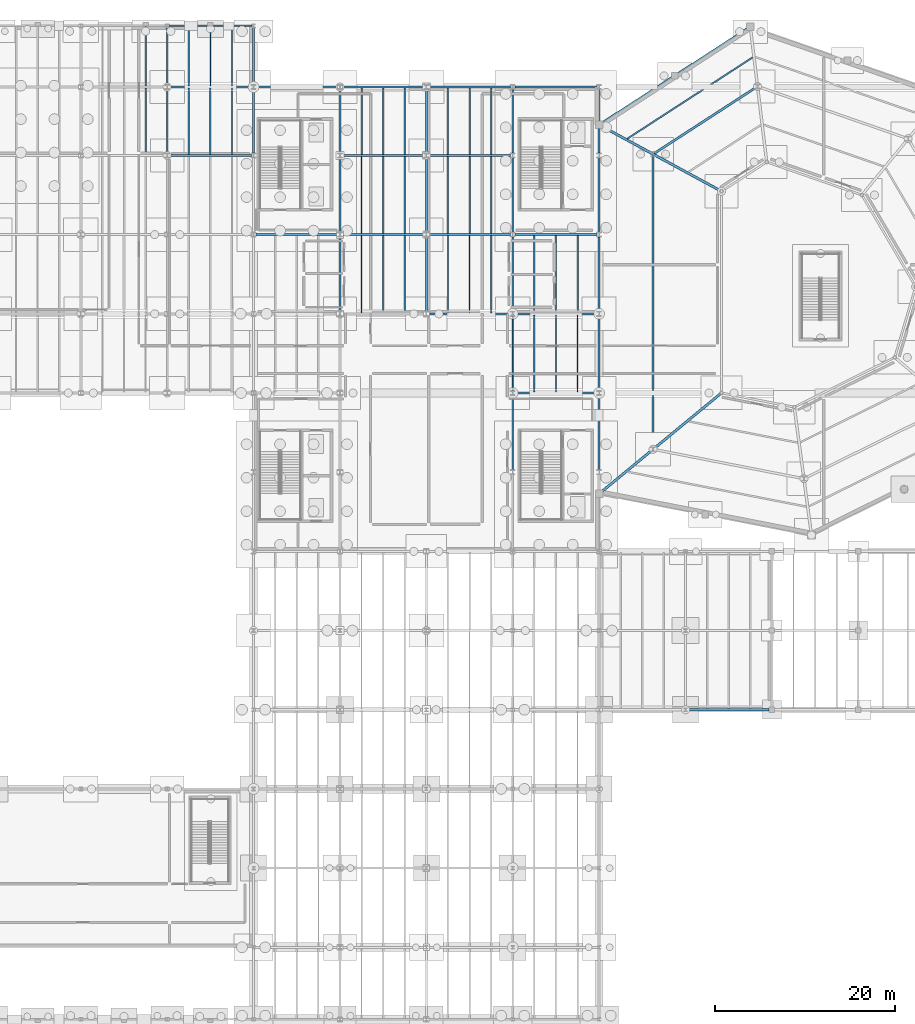
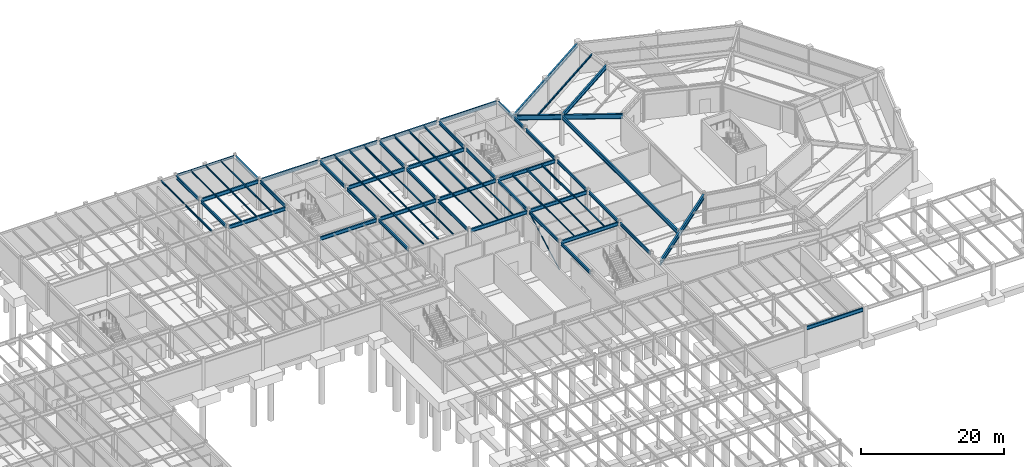
# One storey, part 22 of 48: 75 beams, 1 member.
"""IFC4 building model written with IfcOpenShell, lengths in metres."""

import ifcopenshell
import ifcopenshell.guid

model = None  # the IFC model being written
_history = None  # IfcOwnerHistory: only IFC2X3 demands one
_inside = {}  # id of a spatial element -> (the spatial element, [elements in it])
_under = {}  # id of a project, library or spatial element -> (it, [spatial elements below it])
_declared = {}  # id of a project -> (the project, [libraries it declares])
_typed = {}  # id of a type object -> (the type object, [elements of that type])
_made_of = {}  # id of a material, layer set ... -> (it, [elements and type objects made of it])


def new_model(schema):
    """Start an empty IFC model of exactly this schema.

    Asked for "IFC4X3", IfcOpenShell would pick the latest addendum, in which some entities
    have other attributes; the version numbers below select the first issue.
    IFC2X3 requires an IfcOwnerHistory on every rooted entity: one is made here for all.
    """
    global model, _history
    if schema == "IFC4X3":
        model = ifcopenshell.file(schema_version=(4, 3, 0, 0))
    else:
        model = ifcopenshell.file(schema=schema)
    _inside.clear()
    _under.clear()
    _declared.clear()
    _typed.clear()
    _made_of.clear()
    _history = None
    if model.schema == "IFC2X3":
        org = make("IfcOrganization", Name="unknown")
        user = make(
            "IfcPersonAndOrganization",
            ThePerson=make("IfcPerson", FamilyName="unknown"),
            TheOrganization=org,
        )
        app = make(
            "IfcApplication",
            ApplicationDeveloper=org,
            Version="unknown",
            ApplicationFullName="unknown",
            ApplicationIdentifier="unknown",
        )
        _history = make(
            "IfcOwnerHistory",
            OwningUser=user,
            OwningApplication=app,
            ChangeAction="ADDED",
            CreationDate=0,
        )
    return model


def make(cls, **values):
    """One entity of the class cls with the attributes given. An attribute that is None is left unset."""
    return model.create_entity(
        cls, **{name: value for name, value in values.items() if value is not None}
    )


def rooted(cls, **values):
    """An entity with a GlobalId (a new one), such as an element, a storey or a relation."""
    return make(cls, GlobalId=ifcopenshell.guid.new(), OwnerHistory=_history, **values)


def si_unit(unit_type, name, prefix=None):
    """IfcSIUnit, for example si_unit("LENGTHUNIT", "METRE", prefix="MILLI")."""
    return make("IfcSIUnit", UnitType=unit_type, Prefix=prefix, Name=name)


def assignment(units):
    """IfcUnitAssignment: the units of a project."""
    return None if units is None else make("IfcUnitAssignment", Units=units)


def point(xyz):
    """IfcCartesianPoint."""
    return None if xyz is None else make("IfcCartesianPoint", Coordinates=xyz)


def direction(xyz):
    """IfcDirection."""
    return None if xyz is None else make("IfcDirection", DirectionRatios=xyz)


def frame(location, z_axis=None, x_axis=None):
    """IfcAxis2Placement3D, a coordinate frame: its origin and axes. An axis left out is left unset."""
    return make(
        "IfcAxis2Placement3D",
        Location=point(location),
        Axis=direction(z_axis),
        RefDirection=direction(x_axis),
    )


def frame_2d(location, x_axis=None):
    """IfcAxis2Placement2D, a coordinate frame in the plane: its origin and x axis."""
    return make(
        "IfcAxis2Placement2D", Location=point(location), RefDirection=direction(x_axis)
    )


def origin():
    """The frame at (0, 0, 0) with its axes left unset."""
    return frame((0.0, 0.0, 0.0))


def origin_2d():
    """The frame at (0, 0) in the plane with its x axis left unset."""
    return frame_2d((0.0, 0.0))


def place(relative_to, where):
    """IfcLocalPlacement: puts the frame where relative to a parent placement (None: the world)."""
    return make(
        "IfcLocalPlacement", PlacementRelTo=relative_to, RelativePlacement=where
    )


def context(
    kind, dimensions, precision=None, world=None, true_north=None, identifier=None
):
    """IfcGeometricRepresentationContext, for example the 3D "Model" context."""
    return make(
        "IfcGeometricRepresentationContext",
        ContextIdentifier=identifier,
        ContextType=kind,
        CoordinateSpaceDimension=dimensions,
        Precision=precision,
        WorldCoordinateSystem=world,
        TrueNorth=true_north,
    )


def subcontext(parent, identifier, kind, view, scale=None):
    """IfcGeometricRepresentationSubContext, for example "Body" below "Model"."""
    return make(
        "IfcGeometricRepresentationSubContext",
        ContextIdentifier=identifier,
        ContextType=kind,
        ParentContext=parent,
        TargetScale=scale,
        TargetView=view,
    )


def project(units=None, contexts=None):
    """IfcProject with its units and contexts."""
    return rooted(
        "IfcProject",
        Name="project",
        RepresentationContexts=contexts,
        UnitsInContext=assignment(units),
    )


def spatial(cls, under=None, at=None, **own):
    """A site, building, storey or space (cls), placed at a placement, below another one or the project."""
    s = rooted(cls, ObjectPlacement=at, **own)
    if under is not None:
        _under.setdefault(under.id(), (under, []))[1].append(s)
    return s


def profile(cls, at=None, kind="AREA", **sizes):
    """A parametric profile (cls). Its sizes go by their IFC names, for example OverallWidth=200.0."""
    return make(cls, ProfileType=kind, Position=at, **sizes)


def hollow_circle(**sizes):
    """IfcCircleHollowProfileDef."""
    return profile("IfcCircleHollowProfileDef", **sizes)


def i_section(**sizes):
    """IfcIShapeProfileDef."""
    return profile("IfcIShapeProfileDef", **sizes)


def extrude(swept, where, along, depth):
    """IfcExtrudedAreaSolid: the profile swept, set in the frame where, extruded along a direction by depth."""
    return make(
        "IfcExtrudedAreaSolid",
        SweptArea=swept,
        Position=where,
        ExtrudedDirection=direction(along),
        Depth=depth,
    )


def shape(context_of_items, identifier, shape_type, items):
    """IfcShapeRepresentation: the items that make up one representation, for example the "Body"."""
    return make(
        "IfcShapeRepresentation",
        ContextOfItems=context_of_items,
        RepresentationIdentifier=identifier,
        RepresentationType=shape_type,
        Items=items,
    )


def material(Name=None, Category=None):
    """IfcMaterial."""
    return make("IfcMaterial", Name=Name, Category=Category)


def material_profile(
    of_material, cross_section, Name=None, Category=None, Priority=None
):
    """IfcMaterialProfile: a cross section and its material."""
    return make(
        "IfcMaterialProfile",
        Name=Name,
        Material=of_material,
        Profile=cross_section,
        Priority=Priority,
        Category=Category,
    )


def profile_set(profiles, Name=None, composite=None):
    """IfcMaterialProfileSet."""
    return make(
        "IfcMaterialProfileSet",
        Name=Name,
        MaterialProfiles=profiles,
        CompositeProfile=composite,
    )


def made_of(thing, what):
    """Note that an element or type object is made of a material, layer set ...; save() writes the relation."""
    if what is not None:
        _made_of.setdefault(what.id(), (what, []))[1].append(thing)
    return thing


def type_object(cls, material=None, **own):
    """A type object (cls), such as IfcWallType, which elements share."""
    return made_of(rooted(cls, **own), material)


def element(
    cls,
    number,
    at=None,
    inside=None,
    cuts=None,
    type_object=None,
    material=None,
    context=None,
    identifier="Body",
    shape_type=None,
    held_by="IfcProductDefinitionShape",
    body=None,
    shapes=None,
    **own,
):
    """One element of the class cls, such as IfcWall. Its Tag is "e" and its number.

    at: its placement. inside: the storey or other place that contains it. cuts: it is an
    opening in that element (IfcRelVoidsElement). A single representation is given by context,
    identifier, shape_type and body (its items); several are given by shapes. held_by: the class
    of the entity that holds the representations. save() writes the other relations.
    """
    e = rooted(cls, Tag="e%d" % number, ObjectPlacement=at, **own)
    if body is not None:
        shapes = [shape(context, identifier, shape_type, body)]
    if shapes is not None:
        e.Representation = make(held_by, Representations=shapes)
    if inside is not None:
        _inside.setdefault(inside.id(), (inside, []))[1].append(e)
    if cuts is not None:
        rooted(
            "IfcRelVoidsElement", RelatingBuildingElement=cuts, RelatedOpeningElement=e
        )
    if type_object is not None:
        _typed.setdefault(type_object.id(), (type_object, []))[1].append(e)
    return made_of(e, material)


def aggregate(whole, parts):
    """IfcRelAggregates: a whole, such as a stair, and the parts it consists of."""
    return rooted("IfcRelAggregates", RelatingObject=whole, RelatedObjects=parts)


def save(model, path):
    """Write the relations noted so far, then the file.

    IfcRelAggregates (storeys below a building ...), IfcRelContainedInSpatialStructure (elements
    in a storey), IfcRelDefinesByType, IfcRelAssociatesMaterial and IfcRelDeclares: one each for
    every whole, place, type object, material and project.
    """
    for whole, parts in _under.values():
        aggregate(whole, parts)
    for where, things in _inside.values():
        rooted(
            "IfcRelContainedInSpatialStructure",
            RelatedElements=things,
            RelatingStructure=where,
        )
    for kind, things in _typed.values():
        rooted("IfcRelDefinesByType", RelatedObjects=things, RelatingType=kind)
    for what, things in _made_of.values():
        rooted("IfcRelAssociatesMaterial", RelatedObjects=things, RelatingMaterial=what)
    for by, libraries in _declared.values():
        rooted("IfcRelDeclares", RelatingContext=by, RelatedDefinitions=libraries)
    model.write(path)


model = new_model("IFC4")

# Units and contexts
model_context = context("Model", 3, precision=1e-05, world=origin(), true_north=direction((0.0, 1.0)))
body_context = subcontext(model_context, "Body", "Model", "MODEL_VIEW")
ifc_project = project(units=[si_unit("LENGTHUNIT", "METRE"), si_unit("AREAUNIT", "SQUARE_METRE"), si_unit("VOLUMEUNIT", "CUBIC_METRE"), si_unit("PLANEANGLEUNIT", "RADIAN"), si_unit("MASSUNIT", "GRAM", prefix="KILO")], contexts=[model_context])

# Site, building, storey
site_placement = place(None, origin())
site = spatial("IfcSite", under=ifc_project, at=site_placement, CompositionType="ELEMENT")
building_placement = place(site_placement, origin())
building = spatial("IfcBuilding", under=site, at=building_placement, Name="Sarnbrook Museum", CompositionType="ELEMENT")
storey_placement = place(building_placement, frame((0.0, 0.0, -5.39990234375)))
storey = spatial("IfcBuildingStorey", under=building, at=storey_placement, Name="B1", CompositionType="ELEMENT", Elevation=-5.39990234375)

# Beams
ifc_material_1 = material(Name="Structural Steel Grade 300PLUS (AS/NZS 3679.1, fy = 280 MPa for 17 < t <= 40 mm, 300 MPa for t <= 17 mm)", Category="steel")
ifc_material_profile_1 = material_profile(ifc_material_1, i_section(OverallWidth=0.208984375, OverallDepth=0.532958984375, WebThickness=0.01025390625, FlangeThickness=0.015625, FilletRadius=0.013916015625, at=origin_2d()), Name="530UB92.4")
ifc_profile_set_1 = profile_set([ifc_material_profile_1], Name="Structural Steel Grade 300PLUS (AS/NZS 3679.1, fy = 280 MPa for 17 < t <= 40 mm, 300 MPa for t <= 17 mm)")
beam_type_1 = type_object("IfcBeamType", Name="BM-UB530", PredefinedType="BEAM", material=ifc_profile_set_1)
beam_1_placement = place(storey_placement, frame((71.199951171875, 101.044921875, 4.823486328125), z_axis=(0.0, 1.0, 0.0), x_axis=(-1.0, 0.0, 0.0)))
element("IfcBeam", 1, at=beam_1_placement, inside=storey, type_object=beam_type_1, Name="Girder 8:M-N B1", PredefinedType="BEAM", context=body_context, shape_type="SweptSolid", body=[
    extrude(i_section(OverallWidth=0.208984375, OverallDepth=0.532958984375, WebThickness=0.01025390625, FlangeThickness=0.015625, FilletRadius=0.013916015625, at=origin_2d()), origin(), (0.0, 0.0, 1.0), 7.110107421875),
])
beam_2_placement = place(storey_placement, frame((71.199951171875, 108.64501953125, 4.823486328125), z_axis=(0.0, 1.0, 0.0), x_axis=(-1.0, 0.0, 0.0)))
element("IfcBeam", 2, at=beam_2_placement, inside=storey, type_object=beam_type_1, Name="Girder 8:N-P B1", PredefinedType="BEAM", context=body_context, shape_type="SweptSolid", body=[
    extrude(i_section(OverallWidth=0.208984375, OverallDepth=0.532958984375, WebThickness=0.01025390625, FlangeThickness=0.015625, FilletRadius=0.013916015625, at=origin_2d()), origin(), (0.0, 0.0, 1.0), 6.364013671875),
])
beam_3_placement = place(storey_placement, frame((80.800048828125, 101.044921875, 4.823486328125), z_axis=(0.0, 1.0, 0.0), x_axis=(-1.0, 0.0, 0.0)))
element("IfcBeam", 3, at=beam_3_placement, inside=storey, type_object=beam_type_1, Name="Girder 9:M-N B1", PredefinedType="BEAM", context=body_context, shape_type="SweptSolid", body=[
    extrude(i_section(OverallWidth=0.208984375, OverallDepth=0.532958984375, WebThickness=0.01025390625, FlangeThickness=0.015625, FilletRadius=0.013916015625, at=origin_2d()), origin(), (0.0, 0.0, 1.0), 7.110107421875),
])
beam_4_placement = place(storey_placement, frame((80.800048828125, 108.64501953125, 4.823486328125), z_axis=(0.0, 1.0, 0.0), x_axis=(-1.0, 0.0, 0.0)))
element("IfcBeam", 4, at=beam_4_placement, inside=storey, type_object=beam_type_1, Name="Girder 9:N-P B1", PredefinedType="BEAM", context=body_context, shape_type="SweptSolid", body=[
    extrude(i_section(OverallWidth=0.208984375, OverallDepth=0.532958984375, WebThickness=0.01025390625, FlangeThickness=0.015625, FilletRadius=0.013916015625, at=origin_2d()), origin(), (0.0, 0.0, 1.0), 6.364013671875),
])
for number, where, z_axis, x_axis, name in (
    (5, (90.39990234375, 83.445068359375, 4.83349609375), (0.0, 1.0, 0.0), (-1.0, 0.0, 0.0), "Girder 10:K-L B1"),
    (6, (90.39990234375, 92.2451171875, 4.83349609375), (0.0, 1.0, 0.0), (-1.0, 0.0, 0.0), "Girder 10:L-M B1"),
):
    element("IfcBeam", number, at=place(storey_placement, frame(where, z_axis=z_axis, x_axis=x_axis)), inside=storey, type_object=beam_type_1, Name=name, PredefinedType="BEAM", context=body_context, shape_type="SweptSolid", body=[
        extrude(i_section(OverallWidth=0.208984375, OverallDepth=0.532958984375, WebThickness=0.01025390625, FlangeThickness=0.015625, FilletRadius=0.013916015625, at=origin_2d()), origin(), (0.0, 0.0, 1.0), 8.309814453125),
    ])
beam_5_placement = place(storey_placement, frame((90.39990234375, 101.044921875, 4.83349609375), z_axis=(0.0, 1.0, 0.0), x_axis=(-1.0, 0.0, 0.0)))
element("IfcBeam", 7, at=beam_5_placement, inside=storey, type_object=beam_type_1, Name="Girder 10:M-N B1", PredefinedType="BEAM", context=body_context, shape_type="SweptSolid", body=[
    extrude(i_section(OverallWidth=0.208984375, OverallDepth=0.532958984375, WebThickness=0.01025390625, FlangeThickness=0.015625, FilletRadius=0.013916015625, at=origin_2d()), origin(), (0.0, 0.0, 1.0), 7.110107421875),
])
for number, where, z_axis, x_axis, name in (
    (8, (100.0, 83.445068359375, 4.83349609375), (0.0, 1.0, 0.0), (-1.0, 0.0, 0.0), "Girder 11:K-L B1"),
    (9, (100.0, 92.2451171875, 4.83349609375), (0.0, 1.0, 0.0), (-1.0, 0.0, 0.0), "Girder 11:L-M B1"),
):
    element("IfcBeam", number, at=place(storey_placement, frame(where, z_axis=z_axis, x_axis=x_axis)), inside=storey, type_object=beam_type_1, Name=name, PredefinedType="BEAM", context=body_context, shape_type="SweptSolid", body=[
        extrude(i_section(OverallWidth=0.208984375, OverallDepth=0.532958984375, WebThickness=0.01025390625, FlangeThickness=0.015625, FilletRadius=0.013916015625, at=origin_2d()), origin(), (0.0, 0.0, 1.0), 8.309814453125),
    ])
beam_6_placement = place(storey_placement, frame((100.0, 101.044921875, 4.83349609375), z_axis=(0.0, 1.0, 0.0), x_axis=(-1.0, 0.0, 0.0)))
element("IfcBeam", 10, at=beam_6_placement, inside=storey, type_object=beam_type_1, Name="Girder 11:M-N B1", PredefinedType="BEAM", context=body_context, shape_type="SweptSolid", body=[
    extrude(i_section(OverallWidth=0.208984375, OverallDepth=0.532958984375, WebThickness=0.01025390625, FlangeThickness=0.015625, FilletRadius=0.013916015625, at=origin_2d()), origin(), (0.0, 0.0, 1.0), 7.110107421875),
])
for number, where, z_axis, x_axis, name in (
    (11, (109.60009765625, 65.844970703125, 4.83349609375), (0.0, 1.0, 0.0), (-1.0, 0.0, 0.0), "Girder 12:H-J B1"),
    (12, (109.60009765625, 74.64501953125, 4.83349609375), (0.0, 1.0, 0.0), (-1.0, 0.0, 0.0), "Girder 12:J-K B1"),
):
    element("IfcBeam", number, at=place(storey_placement, frame(where, z_axis=z_axis, x_axis=x_axis)), inside=storey, type_object=beam_type_1, Name=name, PredefinedType="BEAM", context=body_context, shape_type="SweptSolid", body=[
        extrude(i_section(OverallWidth=0.208984375, OverallDepth=0.532958984375, WebThickness=0.01025390625, FlangeThickness=0.015625, FilletRadius=0.013916015625, at=origin_2d()), origin(), (0.0, 0.0, 1.0), 8.31005859375),
    ])
for number, where, z_axis, x_axis, name in (
    (13, (109.60009765625, 83.445068359375, 4.83349609375), (0.0, 1.0, 0.0), (-1.0, 0.0, 0.0), "Girder 12:K-L B1"),
    (14, (109.60009765625, 92.2451171875, 4.83349609375), (0.0, 1.0, 0.0), (-1.0, 0.0, 0.0), "Girder 12:L-M B1"),
):
    element("IfcBeam", number, at=place(storey_placement, frame(where, z_axis=z_axis, x_axis=x_axis)), inside=storey, type_object=beam_type_1, Name=name, PredefinedType="BEAM", context=body_context, shape_type="SweptSolid", body=[
        extrude(i_section(OverallWidth=0.208984375, OverallDepth=0.532958984375, WebThickness=0.01025390625, FlangeThickness=0.015625, FilletRadius=0.013916015625, at=origin_2d()), origin(), (0.0, 0.0, 1.0), 8.309814453125),
    ])
beam_7_placement = place(storey_placement, frame((109.60009765625, 101.044921875, 4.83349609375), z_axis=(0.0, 1.0, 0.0), x_axis=(-1.0, 0.0, 0.0)))
element("IfcBeam", 15, at=beam_7_placement, inside=storey, type_object=beam_type_1, Name="Girder 12:M-N B1", PredefinedType="BEAM", context=body_context, shape_type="SweptSolid", body=[
    extrude(i_section(OverallWidth=0.208984375, OverallDepth=0.532958984375, WebThickness=0.01025390625, FlangeThickness=0.015625, FilletRadius=0.013916015625, at=origin_2d()), origin(), (0.0, 0.0, 1.0), 7.110107421875),
])
for number, where, z_axis, x_axis, name in (
    (16, (119.199951171875, 65.844970703125, 4.823486328125), (0.0, 1.0, 0.0), (-1.0, 0.0, 0.0), "Girder 13:H-J B1"),
    (17, (119.199951171875, 74.64501953125, 4.823486328125), (0.0, 1.0, 0.0), (-1.0, 0.0, 0.0), "Girder 13:J-K B1"),
):
    element("IfcBeam", number, at=place(storey_placement, frame(where, z_axis=z_axis, x_axis=x_axis)), inside=storey, type_object=beam_type_1, Name=name, PredefinedType="BEAM", context=body_context, shape_type="SweptSolid", body=[
        extrude(i_section(OverallWidth=0.208984375, OverallDepth=0.532958984375, WebThickness=0.01025390625, FlangeThickness=0.015625, FilletRadius=0.013916015625, at=origin_2d()), origin(), (0.0, 0.0, 1.0), 8.31005859375),
    ])
for number, where, z_axis, x_axis, name in (
    (18, (119.199951171875, 83.445068359375, 4.823486328125), (0.0, 1.0, 0.0), (-1.0, 0.0, 0.0), "Girder 13:K-L B1"),
    (19, (119.199951171875, 92.2451171875, 4.823486328125), (0.0, 1.0, 0.0), (-1.0, 0.0, 0.0), "Girder 13:L-M B1"),
):
    element("IfcBeam", number, at=place(storey_placement, frame(where, z_axis=z_axis, x_axis=x_axis)), inside=storey, type_object=beam_type_1, Name=name, PredefinedType="BEAM", context=body_context, shape_type="SweptSolid", body=[
        extrude(i_section(OverallWidth=0.208984375, OverallDepth=0.532958984375, WebThickness=0.01025390625, FlangeThickness=0.015625, FilletRadius=0.013916015625, at=origin_2d()), origin(), (0.0, 0.0, 1.0), 8.309814453125),
    ])
beam_8_placement = place(storey_placement, frame((119.199951171875, 101.044921875, 4.83349609375), z_axis=(0.0, 1.0, 0.0), x_axis=(-1.0, 0.0, 0.0)))
element("IfcBeam", 20, at=beam_8_placement, inside=storey, type_object=beam_type_1, Name="Girder 13:M-N B1", PredefinedType="BEAM", context=body_context, shape_type="SweptSolid", body=[
    extrude(i_section(OverallWidth=0.208984375, OverallDepth=0.532958984375, WebThickness=0.01025390625, FlangeThickness=0.015625, FilletRadius=0.013916015625, at=origin_2d()), origin(), (0.0, 0.0, 1.0), 7.110107421875),
])
ifc_material_profile_2 = material_profile(ifc_material_1, i_section(OverallWidth=0.22900390625, OverallDepth=0.612060546875, WebThickness=0.011962890625, FlangeThickness=0.01953125, FilletRadius=0.013916015625, at=origin_2d()), Name="610UB125")
ifc_profile_set_2 = profile_set([ifc_material_profile_2], Name="Structural Steel Grade 300PLUS (AS/NZS 3679.1, fy = 280 MPa for 17 < t <= 40 mm, 300 MPa for t <= 17 mm)")
beam_type_2 = type_object("IfcBeamType", Name="BM-UB610H", PredefinedType="BEAM", material=ifc_profile_set_2)
beam_9_placement = place(storey_placement, frame((129.0, 39.199951171875, 4.803955078125), z_axis=(1.0, 0.0, 0.0), x_axis=(0.0, 1.0, 0.0)))
element("IfcBeam", 21, at=beam_9_placement, inside=storey, type_object=beam_type_2, Name="Girder E:14-15 B1", PredefinedType="BEAM", context=body_context, shape_type="SweptSolid", body=[
    extrude(i_section(OverallWidth=0.22900390625, OverallDepth=0.612060546875, WebThickness=0.011962890625, FlangeThickness=0.01953125, FilletRadius=0.013916015625, at=origin_2d()), origin(), (0.0, 0.0, 1.0), 9.10009765625),
])
beam_10_placement = place(storey_placement, frame((109.85009765625, 74.39990234375, 4.7939453125), z_axis=(1.0, 0.0, 0.0), x_axis=(0.0, 1.0, 0.0)))
element("IfcBeam", 22, at=beam_10_placement, inside=storey, type_object=beam_type_2, Name="Girder J:12-13 B1", PredefinedType="BEAM", context=body_context, shape_type="SweptSolid", body=[
    extrude(i_section(OverallWidth=0.22900390625, OverallDepth=0.612060546875, WebThickness=0.011962890625, FlangeThickness=0.01953125, FilletRadius=0.013916015625, at=origin_2d()), origin(), (0.0, 0.0, 1.0), 9.099853515625),
])
beam_11_placement = place(storey_placement, frame((100.25, 83.199951171875, 4.7939453125), z_axis=(1.0, 0.0, 0.0), x_axis=(0.0, 1.0, 0.0)))
element("IfcBeam", 23, at=beam_11_placement, inside=storey, type_object=beam_type_2, Name="Girder K:11-12 B1", PredefinedType="BEAM", context=body_context, shape_type="SweptSolid", body=[
    extrude(i_section(OverallWidth=0.22900390625, OverallDepth=0.612060546875, WebThickness=0.011962890625, FlangeThickness=0.01953125, FilletRadius=0.013916015625, at=origin_2d()), origin(), (0.0, 0.0, 1.0), 9.10009765625),
])
for number, where, z_axis, x_axis, name in (
    (24, (109.85009765625, 83.199951171875, 4.7939453125), (1.0, 0.0, 0.0), (0.0, 1.0, 0.0), "Girder K:12-13 B1"),
    (25, (81.050048828125, 92.0, 4.7939453125), (1.0, 0.0, 0.0), (0.0, 1.0, 0.0), "Girder L:9-10 B1"),
):
    element("IfcBeam", number, at=place(storey_placement, frame(where, z_axis=z_axis, x_axis=x_axis)), inside=storey, type_object=beam_type_2, Name=name, PredefinedType="BEAM", context=body_context, shape_type="SweptSolid", body=[
        extrude(i_section(OverallWidth=0.22900390625, OverallDepth=0.612060546875, WebThickness=0.011962890625, FlangeThickness=0.01953125, FilletRadius=0.013916015625, at=origin_2d()), origin(), (0.0, 0.0, 1.0), 9.099853515625),
    ])
for number, where, z_axis, x_axis, name in (
    (26, (90.64990234375, 92.0, 4.7939453125), (1.0, 0.0, 0.0), (0.0, 1.0, 0.0), "Girder L:10-11 B1"),
    (27, (100.25, 92.0, 4.7939453125), (1.0, 0.0, 0.0), (0.0, 1.0, 0.0), "Girder L:11-12 B1"),
):
    element("IfcBeam", number, at=place(storey_placement, frame(where, z_axis=z_axis, x_axis=x_axis)), inside=storey, type_object=beam_type_2, Name=name, PredefinedType="BEAM", context=body_context, shape_type="SweptSolid", body=[
        extrude(i_section(OverallWidth=0.22900390625, OverallDepth=0.612060546875, WebThickness=0.011962890625, FlangeThickness=0.01953125, FilletRadius=0.013916015625, at=origin_2d()), origin(), (0.0, 0.0, 1.0), 9.10009765625),
    ])
beam_12_placement = place(storey_placement, frame((109.85009765625, 92.0, 4.7939453125), z_axis=(1.0, 0.0, 0.0), x_axis=(0.0, 1.0, 0.0)))
element("IfcBeam", 28, at=beam_12_placement, inside=storey, type_object=beam_type_2, Name="Girder L:12-13 B1", PredefinedType="BEAM", context=body_context, shape_type="SweptSolid", body=[
    extrude(i_section(OverallWidth=0.22900390625, OverallDepth=0.612060546875, WebThickness=0.011962890625, FlangeThickness=0.01953125, FilletRadius=0.013916015625, at=origin_2d()), origin(), (0.0, 0.0, 1.0), 9.099853515625),
])
for number, where, z_axis, x_axis, name in (
    (29, (71.449951171875, 100.800048828125, 4.783935546875), (1.0, 0.0, 0.0), (0.0, 1.0, 0.0), "Girder M:8-9 B1"),
    (30, (90.64990234375, 100.800048828125, 4.7939453125), (1.0, 0.0, 0.0), (0.0, 1.0, 0.0), "Girder M:10-11 B1"),
    (31, (100.25, 100.800048828125, 4.7939453125), (1.0, 0.0, 0.0), (0.0, 1.0, 0.0), "Girder M:11-12 B1"),
    (32, (71.449951171875, 108.39990234375, 4.783935546875), (1.0, 0.0, 0.0), (0.0, 1.0, 0.0), "Girder N:8-9 B1"),
):
    element("IfcBeam", number, at=place(storey_placement, frame(where, z_axis=z_axis, x_axis=x_axis)), inside=storey, type_object=beam_type_2, Name=name, PredefinedType="BEAM", context=body_context, shape_type="SweptSolid", body=[
        extrude(i_section(OverallWidth=0.22900390625, OverallDepth=0.612060546875, WebThickness=0.011962890625, FlangeThickness=0.01953125, FilletRadius=0.013916015625, at=origin_2d()), origin(), (0.0, 0.0, 1.0), 9.10009765625),
    ])
beam_13_placement = place(storey_placement, frame((81.050048828125, 108.39990234375, 4.7939453125), z_axis=(1.0, 0.0, 0.0), x_axis=(0.0, 1.0, 0.0)))
element("IfcBeam", 33, at=beam_13_placement, inside=storey, type_object=beam_type_2, Name="Girder N:9-10 B1", PredefinedType="BEAM", context=body_context, shape_type="SweptSolid", body=[
    extrude(i_section(OverallWidth=0.22900390625, OverallDepth=0.612060546875, WebThickness=0.011962890625, FlangeThickness=0.01953125, FilletRadius=0.013916015625, at=origin_2d()), origin(), (0.0, 0.0, 1.0), 9.099853515625),
])
for number, where, z_axis, x_axis, name in (
    (34, (90.64990234375, 108.39990234375, 4.7939453125), (1.0, 0.0, 0.0), (0.0, 1.0, 0.0), "Girder N:10-11 B1"),
    (35, (100.25, 108.39990234375, 4.7939453125), (1.0, 0.0, 0.0), (0.0, 1.0, 0.0), "Girder N:11-12 B1"),
):
    element("IfcBeam", number, at=place(storey_placement, frame(where, z_axis=z_axis, x_axis=x_axis)), inside=storey, type_object=beam_type_2, Name=name, PredefinedType="BEAM", context=body_context, shape_type="SweptSolid", body=[
        extrude(i_section(OverallWidth=0.22900390625, OverallDepth=0.612060546875, WebThickness=0.011962890625, FlangeThickness=0.01953125, FilletRadius=0.013916015625, at=origin_2d()), origin(), (0.0, 0.0, 1.0), 9.10009765625),
    ])
beam_14_placement = place(storey_placement, frame((109.85009765625, 108.39990234375, 4.7939453125), z_axis=(1.0, 0.0, 0.0), x_axis=(0.0, 1.0, 0.0)))
element("IfcBeam", 36, at=beam_14_placement, inside=storey, type_object=beam_type_2, Name="Girder N:12-13 B1", PredefinedType="BEAM", context=body_context, shape_type="SweptSolid", body=[
    extrude(i_section(OverallWidth=0.22900390625, OverallDepth=0.612060546875, WebThickness=0.011962890625, FlangeThickness=0.01953125, FilletRadius=0.013916015625, at=origin_2d()), origin(), (0.0, 0.0, 1.0), 9.099853515625),
])
ifc_material_2 = material(Name="Structural Steel Grade 350L0 (AS/NZS 3678, fy = 340 MPa for 20 < t <= 40 mm)", Category="steel")
ifc_material_profile_3 = material_profile(ifc_material_2, i_section(OverallWidth=0.25, OverallDepth=0.699951171875, WebThickness=0.010009765625, FlangeThickness=0.01611328125, at=origin_2d()), Name="700WB130")
ifc_profile_set_3 = profile_set([ifc_material_profile_3], Name="Structural Steel Grade 350L0 (AS/NZS 3678, fy = 340 MPa for 20 < t <= 40 mm)")
beam_type_3 = type_object("IfcBeamType", Name="BM-WB700", PredefinedType="BEAM", material=ifc_profile_set_3)
beam_15_placement = place(storey_placement, frame((135.790283203125, 114.9638671875, 4.739990234375), z_axis=(-0.838904661146, -0.544278393387, 0.0), x_axis=(0.544278393387, -0.838904661146, 0.0)))
element("IfcBeam", 37, at=beam_15_placement, inside=storey, type_object=beam_type_3, Name="Crystal Hall Perimeter Ring Girder 6 B1", PredefinedType="BEAM", context=body_context, shape_type="SweptSolid", body=[
    extrude(i_section(OverallWidth=0.25, OverallDepth=0.699951171875, WebThickness=0.010009765625, FlangeThickness=0.01611328125, at=origin_2d()), origin(), (0.0, 0.0, 1.0), 19.526123046875),
])
beam_16_placement = place(storey_placement, frame((136.669921875, 108.38232421875, 4.739990234375), z_axis=(-0.838898634594, -0.544287682091, 0.0), x_axis=(0.544287682091, -0.838898634594, 0.0)))
element("IfcBeam", 38, at=beam_16_placement, inside=storey, type_object=beam_type_3, Name="Crystal Hall R1 Ring Girder 6 B1", PredefinedType="BEAM", context=body_context, shape_type="SweptSolid", body=[
    extrude(i_section(OverallWidth=0.25, OverallDepth=0.699951171875, WebThickness=0.010009765625, FlangeThickness=0.01611328125, at=origin_2d()), origin(), (0.0, 0.0, 1.0), 13.5126953125),
])
beam_17_placement = place(storey_placement, frame((125.199951171875, 100.780517578125, 4.739990234375), z_axis=(0.0, -1.0, 0.0), x_axis=(1.0, 0.0, 0.0)))
element("IfcBeam", 39, at=beam_17_placement, inside=storey, type_object=beam_type_3, Name="Crystal Hall R1 Ring Girder 7 B1", PredefinedType="BEAM", context=body_context, shape_type="SweptSolid", body=[
    extrude(i_section(OverallWidth=0.25, OverallDepth=0.699951171875, WebThickness=0.010009765625, FlangeThickness=0.01611328125, at=origin_2d()), origin(), (0.0, 0.0, 1.0), 32.47705078125),
])
ifc_material_profile_4 = material_profile(ifc_material_2, i_section(OverallWidth=0.27490234375, OverallDepth=0.800048828125, WebThickness=0.010009765625, FlangeThickness=0.01611328125, at=origin_2d()), Name="800WB146")
ifc_profile_set_4 = profile_set([ifc_material_profile_4], Name="Structural Steel Grade 350L0 (AS/NZS 3678, fy = 340 MPa for 20 < t <= 40 mm)")
beam_type_4 = type_object("IfcBeamType", Name="CR-CANT", PredefinedType="BEAM", material=ifc_profile_set_4)
beam_18_placement = place(storey_placement, frame((132.70751953125, 74.328857421875, 4.68994140625), z_axis=(-0.771786843469, -0.635881331891, 0.0), x_axis=(0.635881331891, -0.771786843469, 0.0)))
element("IfcBeam", 40, at=beam_18_placement, inside=storey, type_object=beam_type_4, Name="Crystal Hall Radial Cantilever Girder 1 B1", PredefinedType="BEAM", context=body_context, shape_type="SweptSolid", body=[
    extrude(i_section(OverallWidth=0.27490234375, OverallDepth=0.800048828125, WebThickness=0.010009765625, FlangeThickness=0.01611328125, at=origin_2d()), origin(), (0.0, 0.0, 1.0), 17.351318359375),
])
beam_19_placement = place(storey_placement, frame((132.694580078125, 96.869384765625, 4.68994140625), z_axis=(-0.878717035292, 0.477343033769, 0.0), x_axis=(-0.477343033769, -0.878717035292, 0.0)))
element("IfcBeam", 41, at=beam_19_placement, inside=storey, type_object=beam_type_4, Name="Crystal Hall Radial Cantilever Girder 7 B1", PredefinedType="BEAM", context=body_context, shape_type="SweptSolid", body=[
    extrude(i_section(OverallWidth=0.27490234375, OverallDepth=0.800048828125, WebThickness=0.010009765625, FlangeThickness=0.01611328125, at=origin_2d()), origin(), (0.0, 0.0, 1.0), 15.207275390625),
])
ifc_material_profile_5 = material_profile(ifc_material_1, i_section(OverallWidth=0.134033203125, OverallDepth=0.20703125, WebThickness=0.00634765625, FlangeThickness=0.009521484375, FilletRadius=0.0087890625, at=origin_2d()), Name="200UB29.8")
ifc_profile_set_5 = profile_set([ifc_material_profile_5], Name="Structural Steel Grade 300PLUS (AS/NZS 3679.1, fy = 280 MPa for 17 < t <= 40 mm, 300 MPa for t <= 17 mm)")
beam_type_5 = type_object("IfcBeamType", Name="JS-UB200", PredefinedType="JOIST", material=ifc_profile_set_5)
for number, where, z_axis, x_axis, name in (
    (42, (73.60009765625, 108.514404296875, 4.986328125), (0.0, 1.0, 0.0), (-1.0, 0.0, 0.0), "Composite Floor Joist 8N-1 B1"),
    (43, (76.0, 108.514404296875, 4.986328125), (0.0, 1.0, 0.0), (-1.0, 0.0, 0.0), "Composite Floor Joist 8N-2 B1"),
    (44, (78.39990234375, 108.514404296875, 4.986328125), (0.0, 1.0, 0.0), (-1.0, 0.0, 0.0), "Composite Floor Joist 8N-3 B1"),
):
    element("IfcBeam", number, at=place(storey_placement, frame(where, z_axis=z_axis, x_axis=x_axis)), inside=storey, type_object=beam_type_5, Name=name, PredefinedType="JOIST", context=body_context, shape_type="SweptSolid", body=[
        extrude(i_section(OverallWidth=0.134033203125, OverallDepth=0.20703125, WebThickness=0.00634765625, FlangeThickness=0.009521484375, FilletRadius=0.0087890625, at=origin_2d()), origin(), (0.0, 0.0, 1.0), 6.5966796875),
    ])
for number, where, z_axis, x_axis, name in (
    (45, (92.800048828125, 92.114501953125, 4.996337890625), (0.0, 1.0, 0.0), (-1.0, 0.0, 0.0), "Composite Floor Joist 10L-1 B1"),
    (46, (95.199951171875, 92.114501953125, 4.996337890625), (0.0, 1.0, 0.0), (-1.0, 0.0, 0.0), "Composite Floor Joist 10L-2 B1"),
    (47, (97.60009765625, 92.114501953125, 4.996337890625), (0.0, 1.0, 0.0), (-1.0, 0.0, 0.0), "Composite Floor Joist 10L-3 B1"),
    (48, (102.39990234375, 83.314453125, 4.996337890625), (0.0, 1.0, 0.0), (-1.0, 0.0, 0.0), "Composite Floor Joist 11K-1 B1"),
    (49, (104.800048828125, 83.314453125, 4.996337890625), (0.0, 1.0, 0.0), (-1.0, 0.0, 0.0), "Composite Floor Joist 11K-2 B1"),
    (50, (107.199951171875, 83.314453125, 4.996337890625), (0.0, 1.0, 0.0), (-1.0, 0.0, 0.0), "Composite Floor Joist 11K-3 B1"),
    (51, (112.0, 74.514404296875, 4.996337890625), (0.0, 1.0, 0.0), (-1.0, 0.0, 0.0), "Composite Floor Joist 12J-1 B1"),
    (52, (114.39990234375, 74.514404296875, 4.996337890625), (0.0, 1.0, 0.0), (-1.0, 0.0, 0.0), "Composite Floor Joist 12J-2 B1"),
    (53, (116.800048828125, 74.514404296875, 4.996337890625), (0.0, 1.0, 0.0), (-1.0, 0.0, 0.0), "Composite Floor Joist 12J-3 B1"),
):
    element("IfcBeam", number, at=place(storey_placement, frame(where, z_axis=z_axis, x_axis=x_axis)), inside=storey, type_object=beam_type_5, Name=name, PredefinedType="JOIST", context=body_context, shape_type="SweptSolid", body=[
        extrude(i_section(OverallWidth=0.134033203125, OverallDepth=0.20703125, WebThickness=0.00634765625, FlangeThickness=0.009521484375, FilletRadius=0.0087890625, at=origin_2d()), origin(), (0.0, 0.0, 1.0), 8.571044921875),
    ])
ifc_material_profile_6 = material_profile(ifc_material_1, i_section(OverallWidth=0.14599609375, OverallDepth=0.256103515625, WebThickness=0.00634765625, FlangeThickness=0.010986328125, FilletRadius=0.0087890625, at=origin_2d()), Name="250UB37.3")
ifc_profile_set_6 = profile_set([ifc_material_profile_6], Name="Structural Steel Grade 300PLUS (AS/NZS 3679.1, fy = 280 MPa for 17 < t <= 40 mm, 300 MPa for t <= 17 mm)")
beam_type_6 = type_object("IfcBeamType", Name="JS-UB250", PredefinedType="JOIST", material=ifc_profile_set_6)
beam_20_placement = place(storey_placement, frame((68.800048828125, 108.514404296875, 4.9619140625), z_axis=(0.0, 1.0, 0.0), x_axis=(-1.0, 0.0, 0.0)))
element("IfcBeam", 54, at=beam_20_placement, inside=storey, type_object=beam_type_6, Name="Composite Floor Joist 7N-3 B1", PredefinedType="JOIST", context=body_context, shape_type="SweptSolid", body=[
    extrude(i_section(OverallWidth=0.14599609375, OverallDepth=0.256103515625, WebThickness=0.00634765625, FlangeThickness=0.010986328125, FilletRadius=0.0087890625, at=origin_2d()), origin(), (0.0, 0.0, 1.0), 6.5966796875),
])
for number, where, z_axis, x_axis, name in (
    (55, (73.60009765625, 100.91455078125, 4.9619140625), (0.0, 1.0, 0.0), (-1.0, 0.0, 0.0), "Composite Floor Joist 8M-1 B1"),
    (56, (76.0, 100.91455078125, 4.9619140625), (0.0, 1.0, 0.0), (-1.0, 0.0, 0.0), "Composite Floor Joist 8M-2 B1"),
    (57, (78.39990234375, 100.91455078125, 4.9619140625), (0.0, 1.0, 0.0), (-1.0, 0.0, 0.0), "Composite Floor Joist 8M-3 B1"),
):
    element("IfcBeam", number, at=place(storey_placement, frame(where, z_axis=z_axis, x_axis=x_axis)), inside=storey, type_object=beam_type_6, Name=name, PredefinedType="JOIST", context=body_context, shape_type="SweptSolid", body=[
        extrude(i_section(OverallWidth=0.14599609375, OverallDepth=0.256103515625, WebThickness=0.00634765625, FlangeThickness=0.010986328125, FilletRadius=0.0087890625, at=origin_2d()), origin(), (0.0, 0.0, 1.0), 7.370849609375),
    ])
for number, where, z_axis, x_axis, name in (
    (58, (92.800048828125, 83.314453125, 4.971923828125), (0.0, 1.0, 0.0), (-1.0, 0.0, 0.0), "Composite Floor Joist 10K-1 B1"),
    (59, (95.199951171875, 83.314453125, 4.971923828125), (0.0, 1.0, 0.0), (-1.0, 0.0, 0.0), "Composite Floor Joist 10K-2 B1"),
    (60, (97.60009765625, 83.314453125, 4.971923828125), (0.0, 1.0, 0.0), (-1.0, 0.0, 0.0), "Composite Floor Joist 10K-3 B1"),
):
    element("IfcBeam", number, at=place(storey_placement, frame(where, z_axis=z_axis, x_axis=x_axis)), inside=storey, type_object=beam_type_6, Name=name, PredefinedType="JOIST", context=body_context, shape_type="SweptSolid", body=[
        extrude(i_section(OverallWidth=0.14599609375, OverallDepth=0.256103515625, WebThickness=0.00634765625, FlangeThickness=0.010986328125, FilletRadius=0.0087890625, at=origin_2d()), origin(), (0.0, 0.0, 1.0), 8.571044921875),
    ])
ifc_material_profile_7 = material_profile(ifc_material_1, i_section(OverallWidth=0.1650390625, OverallDepth=0.303955078125, WebThickness=0.006103515625, FlangeThickness=0.01025390625, FilletRadius=0.011474609375, at=origin_2d()), Name="310UB40.4")
ifc_profile_set_7 = profile_set([ifc_material_profile_7], Name="Structural Steel Grade 300PLUS (AS/NZS 3679.1, fy = 280 MPa for 17 < t <= 40 mm, 300 MPa for t <= 17 mm)")
beam_type_7 = type_object("IfcBeamType", Name="JS-UB310", PredefinedType="JOIST", material=ifc_profile_set_7)
beam_21_placement = place(storey_placement, frame((68.800048828125, 100.91455078125, 4.93798828125), z_axis=(0.0, 1.0, 0.0), x_axis=(-1.0, 0.0, 0.0)))
element("IfcBeam", 61, at=beam_21_placement, inside=storey, type_object=beam_type_7, Name="Composite Floor Joist 7M-3 B1", PredefinedType="JOIST", context=body_context, shape_type="SweptSolid", body=[
    extrude(i_section(OverallWidth=0.1650390625, OverallDepth=0.303955078125, WebThickness=0.006103515625, FlangeThickness=0.01025390625, FilletRadius=0.011474609375, at=origin_2d()), origin(), (0.0, 0.0, 1.0), 7.370849609375),
])
beam_22_placement = place(storey_placement, frame((136.267822265625, 111.697509765625, 4.93798828125), z_axis=(-0.838905418577, -0.544277225944, 0.0), x_axis=(0.544277225944, -0.838905418577, 0.0)))
element("IfcBeam", 62, at=beam_22_placement, inside=storey, type_object=beam_type_7, Name="Crystal Hall Tangential Joist MO-6 B1", PredefinedType="JOIST", context=body_context, shape_type="SweptSolid", body=[
    extrude(i_section(OverallWidth=0.1650390625, OverallDepth=0.303955078125, WebThickness=0.006103515625, FlangeThickness=0.01025390625, FilletRadius=0.011474609375, at=origin_2d()), origin(), (0.0, 0.0, 1.0), 16.609375),
])
ifc_material_profile_8 = material_profile(ifc_material_1, i_section(OverallWidth=0.166015625, OverallDepth=0.306884765625, WebThickness=0.006591796875, FlangeThickness=0.01171875, FilletRadius=0.011474609375, at=origin_2d()), Name="310UB46.2")
ifc_profile_set_8 = profile_set([ifc_material_profile_8], Name="Structural Steel Grade 300PLUS (AS/NZS 3679.1, fy = 280 MPa for 17 < t <= 40 mm, 300 MPa for t <= 17 mm)")
beam_type_8 = type_object("IfcBeamType", Name="JS-UB310H", PredefinedType="JOIST", material=ifc_profile_set_8)
for number, where, z_axis, x_axis, name in (
    (63, (102.39990234375, 100.91455078125, 4.9462890625), (0.0, 1.0, 0.0), (-1.0, 0.0, 0.0), "Composite Floor Joist 11M-1 B1"),
    (64, (104.800048828125, 100.91455078125, 4.9462890625), (0.0, 1.0, 0.0), (-1.0, 0.0, 0.0), "Composite Floor Joist 11M-2 B1"),
    (65, (107.199951171875, 100.91455078125, 4.9462890625), (0.0, 1.0, 0.0), (-1.0, 0.0, 0.0), "Composite Floor Joist 11M-3 B1"),
):
    element("IfcBeam", number, at=place(storey_placement, frame(where, z_axis=z_axis, x_axis=x_axis)), inside=storey, type_object=beam_type_8, Name=name, PredefinedType="JOIST", context=body_context, shape_type="SweptSolid", body=[
        extrude(i_section(OverallWidth=0.166015625, OverallDepth=0.306884765625, WebThickness=0.006591796875, FlangeThickness=0.01171875, FilletRadius=0.011474609375, at=origin_2d()), origin(), (0.0, 0.0, 1.0), 7.370849609375),
    ])
ifc_material_profile_9 = material_profile(ifc_material_1, i_section(OverallWidth=0.1708984375, OverallDepth=0.35595703125, WebThickness=0.00732421875, FlangeThickness=0.011474609375, FilletRadius=0.011474609375, at=origin_2d()), Name="360UB50.7")
ifc_profile_set_9 = profile_set([ifc_material_profile_9], Name="Structural Steel Grade 300PLUS (AS/NZS 3679.1, fy = 280 MPa for 17 < t <= 40 mm, 300 MPa for t <= 17 mm)")
beam_type_9 = type_object("IfcBeamType", Name="JS-UB360", PredefinedType="JOIST", material=ifc_profile_set_9)
for number, where, z_axis, x_axis, name in (
    (66, (92.800048828125, 100.91455078125, 4.921875), (0.0, 1.0, 0.0), (-1.0, 0.0, 0.0), "Composite Floor Joist 10M-1 B1"),
    (67, (95.199951171875, 100.91455078125, 4.921875), (0.0, 1.0, 0.0), (-1.0, 0.0, 0.0), "Composite Floor Joist 10M-2 B1"),
    (68, (97.60009765625, 100.91455078125, 4.921875), (0.0, 1.0, 0.0), (-1.0, 0.0, 0.0), "Composite Floor Joist 10M-3 B1"),
):
    element("IfcBeam", number, at=place(storey_placement, frame(where, z_axis=z_axis, x_axis=x_axis)), inside=storey, type_object=beam_type_9, Name=name, PredefinedType="JOIST", context=body_context, shape_type="SweptSolid", body=[
        extrude(i_section(OverallWidth=0.1708984375, OverallDepth=0.35595703125, WebThickness=0.00732421875, FlangeThickness=0.011474609375, FilletRadius=0.011474609375, at=origin_2d()), origin(), (0.0, 0.0, 1.0), 7.370849609375),
    ])
for number, where, z_axis, x_axis, name in (
    (69, (102.39990234375, 92.114501953125, 4.921875), (0.0, 1.0, 0.0), (-1.0, 0.0, 0.0), "Composite Floor Joist 11L-1 B1"),
    (70, (104.800048828125, 92.114501953125, 4.921875), (0.0, 1.0, 0.0), (-1.0, 0.0, 0.0), "Composite Floor Joist 11L-2 B1"),
    (71, (107.199951171875, 92.114501953125, 4.921875), (0.0, 1.0, 0.0), (-1.0, 0.0, 0.0), "Composite Floor Joist 11L-3 B1"),
    (72, (112.0, 83.314453125, 4.921875), (0.0, 1.0, 0.0), (-1.0, 0.0, 0.0), "Composite Floor Joist 12K-1 B1"),
    (73, (114.39990234375, 83.314453125, 4.921875), (0.0, 1.0, 0.0), (-1.0, 0.0, 0.0), "Composite Floor Joist 12K-2 B1"),
    (74, (116.800048828125, 83.314453125, 4.921875), (0.0, 1.0, 0.0), (-1.0, 0.0, 0.0), "Composite Floor Joist 12K-3 B1"),
):
    element("IfcBeam", number, at=place(storey_placement, frame(where, z_axis=z_axis, x_axis=x_axis)), inside=storey, type_object=beam_type_9, Name=name, PredefinedType="JOIST", context=body_context, shape_type="SweptSolid", body=[
        extrude(i_section(OverallWidth=0.1708984375, OverallDepth=0.35595703125, WebThickness=0.00732421875, FlangeThickness=0.011474609375, FilletRadius=0.011474609375, at=origin_2d()), origin(), (0.0, 0.0, 1.0), 8.571044921875),
    ])

# Member
ifc_material_3 = material(Name="Structural Steel Hollow Section Grade C350L0 (AS/NZS 1163, fy = 350 MPa)", Category="steel")
ifc_material_profile_10 = material_profile(ifc_material_3, hollow_circle(Radius=0.084228515625, WallThickness=0.007080078125, at=origin_2d()), Name="168.3x7.1CHS")
ifc_profile_set_10 = profile_set([ifc_material_profile_10], Name="Structural Steel Hollow Section Grade C350L0 (AS/NZS 1163, fy = 350 MPa)")
member_type = type_object("IfcMemberType", Name="MB-CHS168", PredefinedType="BRACE", material=ifc_profile_set_10)
member_placement = place(storey_placement, frame((109.60009765625, 74.580078125, 0.119873046875), z_axis=(0.0, 0.876734792147, 0.480974120135), x_axis=(-1.0, 0.0, 0.0)))
element("IfcMember", 75, at=member_placement, inside=storey, type_object=member_type, Name="Lateral Diagonal Brace CBF-4 B1", PredefinedType="BRACE", context=body_context, shape_type="SweptSolid", body=[
    extrude(hollow_circle(Radius=0.084228515625, WallThickness=0.007080078125, at=origin_2d()), origin(), (0.0, 0.0, 1.0), 9.62646484375),
])

# Beam
ifc_material_profile_11 = material_profile(ifc_material_1, i_section(OverallWidth=0.177978515625, OverallDepth=0.406005859375, WebThickness=0.0078125, FlangeThickness=0.0126953125, FilletRadius=0.011474609375, at=origin_2d()), Name="410UB59.7")
ifc_profile_set_11 = profile_set([ifc_material_profile_11], Name="Structural Steel Grade 300PLUS (AS/NZS 3679.1, fy = 280 MPa for 17 < t <= 40 mm, 300 MPa for t <= 17 mm)")
beam_type_10 = type_object("IfcBeamType", Name="SP-UB410", PredefinedType="SPANDREL", material=ifc_profile_set_11)
beam_23_placement = place(storey_placement, frame((71.39990234375, 115.199951171875, 4.886962890625), z_axis=(1.0, 0.0, 0.0), x_axis=(0.0, 1.0, 0.0)))
element("IfcBeam", 76, at=beam_23_placement, inside=storey, type_object=beam_type_10, Name="Girder P:8-9 B1", PredefinedType="SPANDREL", context=body_context, shape_type="SweptSolid", body=[
    extrude(i_section(OverallWidth=0.177978515625, OverallDepth=0.406005859375, WebThickness=0.0078125, FlangeThickness=0.0126953125, FilletRadius=0.011474609375, at=origin_2d()), origin(), (0.0, 0.0, 1.0), 9.2001953125),
])

save(model, "model.ifc")
